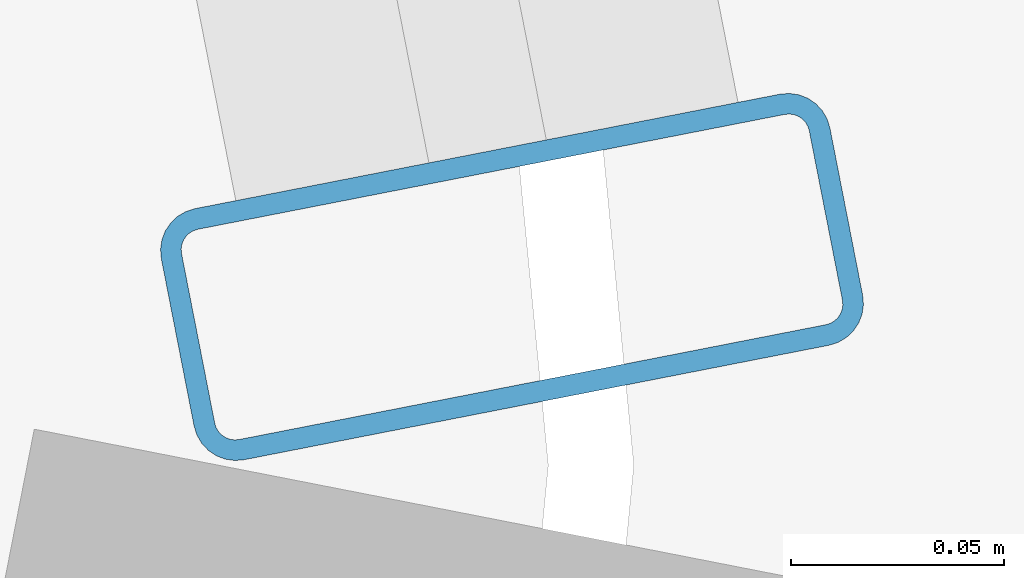
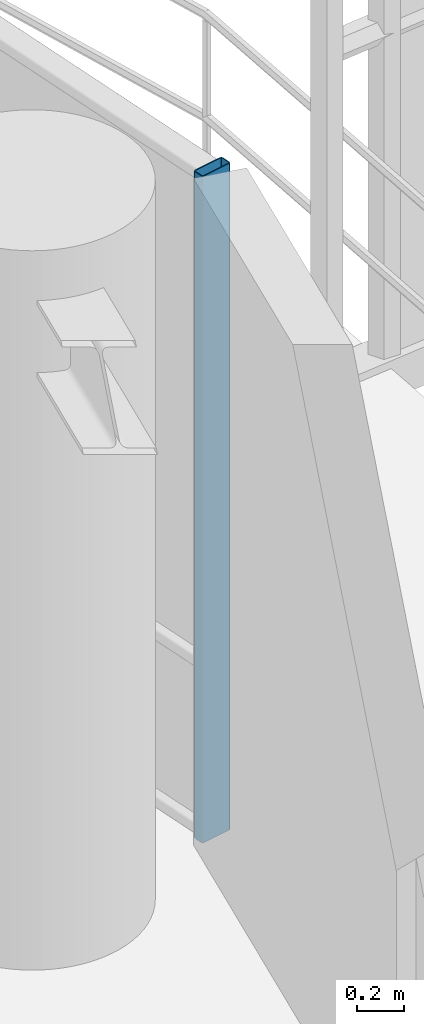
# One storey, part 14 of 31: 1 member, 1 element without a shape of its own.
"""IFC4 building model written with IfcOpenShell, lengths in metres."""

import ifcopenshell
import ifcopenshell.guid

model = None  # the IFC model being written
_history = None  # IfcOwnerHistory: only IFC2X3 demands one
_inside = {}  # id of a spatial element -> (the spatial element, [elements in it])
_under = {}  # id of a project, library or spatial element -> (it, [spatial elements below it])
_declared = {}  # id of a project -> (the project, [libraries it declares])
_typed = {}  # id of a type object -> (the type object, [elements of that type])
_made_of = {}  # id of a material, layer set ... -> (it, [elements and type objects made of it])


def new_model(schema):
    """Start an empty IFC model of exactly this schema.

    Asked for "IFC4X3", IfcOpenShell would pick the latest addendum, in which some entities
    have other attributes; the version numbers below select the first issue.
    IFC2X3 requires an IfcOwnerHistory on every rooted entity: one is made here for all.
    """
    global model, _history
    if schema == "IFC4X3":
        model = ifcopenshell.file(schema_version=(4, 3, 0, 0))
    else:
        model = ifcopenshell.file(schema=schema)
    _inside.clear()
    _under.clear()
    _declared.clear()
    _typed.clear()
    _made_of.clear()
    _history = None
    if model.schema == "IFC2X3":
        org = make("IfcOrganization", Name="unknown")
        user = make(
            "IfcPersonAndOrganization",
            ThePerson=make("IfcPerson", FamilyName="unknown"),
            TheOrganization=org,
        )
        app = make(
            "IfcApplication",
            ApplicationDeveloper=org,
            Version="unknown",
            ApplicationFullName="unknown",
            ApplicationIdentifier="unknown",
        )
        _history = make(
            "IfcOwnerHistory",
            OwningUser=user,
            OwningApplication=app,
            ChangeAction="ADDED",
            CreationDate=0,
        )
    return model


def make(cls, **values):
    """One entity of the class cls with the attributes given. An attribute that is None is left unset."""
    return model.create_entity(
        cls, **{name: value for name, value in values.items() if value is not None}
    )


def rooted(cls, **values):
    """An entity with a GlobalId (a new one), such as an element, a storey or a relation."""
    return make(cls, GlobalId=ifcopenshell.guid.new(), OwnerHistory=_history, **values)


def si_unit(unit_type, name, prefix=None):
    """IfcSIUnit, for example si_unit("LENGTHUNIT", "METRE", prefix="MILLI")."""
    return make("IfcSIUnit", UnitType=unit_type, Prefix=prefix, Name=name)


def assignment(units):
    """IfcUnitAssignment: the units of a project."""
    return None if units is None else make("IfcUnitAssignment", Units=units)


def point(xyz):
    """IfcCartesianPoint."""
    return None if xyz is None else make("IfcCartesianPoint", Coordinates=xyz)


def direction(xyz):
    """IfcDirection."""
    return None if xyz is None else make("IfcDirection", DirectionRatios=xyz)


def frame(location, z_axis=None, x_axis=None):
    """IfcAxis2Placement3D, a coordinate frame: its origin and axes. An axis left out is left unset."""
    return make(
        "IfcAxis2Placement3D",
        Location=point(location),
        Axis=direction(z_axis),
        RefDirection=direction(x_axis),
    )


def frame_2d(location, x_axis=None):
    """IfcAxis2Placement2D, a coordinate frame in the plane: its origin and x axis."""
    return make(
        "IfcAxis2Placement2D", Location=point(location), RefDirection=direction(x_axis)
    )


def origin():
    """The frame at (0, 0, 0) with its axes left unset."""
    return frame((0.0, 0.0, 0.0))


def origin_2d():
    """The frame at (0, 0) in the plane with its x axis left unset."""
    return frame_2d((0.0, 0.0))


def place(relative_to, where):
    """IfcLocalPlacement: puts the frame where relative to a parent placement (None: the world)."""
    return make(
        "IfcLocalPlacement", PlacementRelTo=relative_to, RelativePlacement=where
    )


def context(
    kind, dimensions, precision=None, world=None, true_north=None, identifier=None
):
    """IfcGeometricRepresentationContext, for example the 3D "Model" context."""
    return make(
        "IfcGeometricRepresentationContext",
        ContextIdentifier=identifier,
        ContextType=kind,
        CoordinateSpaceDimension=dimensions,
        Precision=precision,
        WorldCoordinateSystem=world,
        TrueNorth=true_north,
    )


def subcontext(parent, identifier, kind, view, scale=None):
    """IfcGeometricRepresentationSubContext, for example "Body" below "Model"."""
    return make(
        "IfcGeometricRepresentationSubContext",
        ContextIdentifier=identifier,
        ContextType=kind,
        ParentContext=parent,
        TargetScale=scale,
        TargetView=view,
    )


def project(units=None, contexts=None):
    """IfcProject with its units and contexts."""
    return rooted(
        "IfcProject",
        Name="project",
        RepresentationContexts=contexts,
        UnitsInContext=assignment(units),
    )


def spatial(cls, under=None, at=None, **own):
    """A site, building, storey or space (cls), placed at a placement, below another one or the project."""
    s = rooted(cls, ObjectPlacement=at, **own)
    if under is not None:
        _under.setdefault(under.id(), (under, []))[1].append(s)
    return s


def profile(cls, at=None, kind="AREA", **sizes):
    """A parametric profile (cls). Its sizes go by their IFC names, for example OverallWidth=200.0."""
    return make(cls, ProfileType=kind, Position=at, **sizes)


def hollow_rectangle(**sizes):
    """IfcRectangleHollowProfileDef."""
    return profile("IfcRectangleHollowProfileDef", **sizes)


def extrude(swept, where, along, depth):
    """IfcExtrudedAreaSolid: the profile swept, set in the frame where, extruded along a direction by depth."""
    return make(
        "IfcExtrudedAreaSolid",
        SweptArea=swept,
        Position=where,
        ExtrudedDirection=direction(along),
        Depth=depth,
    )


def shape(context_of_items, identifier, shape_type, items):
    """IfcShapeRepresentation: the items that make up one representation, for example the "Body"."""
    return make(
        "IfcShapeRepresentation",
        ContextOfItems=context_of_items,
        RepresentationIdentifier=identifier,
        RepresentationType=shape_type,
        Items=items,
    )


def material(Name=None, Category=None):
    """IfcMaterial."""
    return make("IfcMaterial", Name=Name, Category=Category)


def layer(
    of_material, thickness, ventilated=None, Name=None, Category=None, Priority=None
):
    """IfcMaterialLayer: one layer of a wall or slab, of a material (None: an air gap)."""
    return make(
        "IfcMaterialLayer",
        Material=of_material,
        LayerThickness=thickness,
        IsVentilated=ventilated,
        Name=Name,
        Category=Category,
        Priority=Priority,
    )


def layer_set(layers, Name=None):
    """IfcMaterialLayerSet."""
    return make("IfcMaterialLayerSet", MaterialLayers=layers, LayerSetName=Name)


def material_profile(
    of_material, cross_section, Name=None, Category=None, Priority=None
):
    """IfcMaterialProfile: a cross section and its material."""
    return make(
        "IfcMaterialProfile",
        Name=Name,
        Material=of_material,
        Profile=cross_section,
        Priority=Priority,
        Category=Category,
    )


def profile_set(profiles, Name=None, composite=None):
    """IfcMaterialProfileSet."""
    return make(
        "IfcMaterialProfileSet",
        Name=Name,
        MaterialProfiles=profiles,
        CompositeProfile=composite,
    )


def made_of(thing, what):
    """Note that an element or type object is made of a material, layer set ...; save() writes the relation."""
    if what is not None:
        _made_of.setdefault(what.id(), (what, []))[1].append(thing)
    return thing


def type_object(cls, material=None, **own):
    """A type object (cls), such as IfcWallType, which elements share."""
    return made_of(rooted(cls, **own), material)


def element(
    cls,
    number,
    at=None,
    inside=None,
    cuts=None,
    type_object=None,
    material=None,
    context=None,
    identifier="Body",
    shape_type=None,
    held_by="IfcProductDefinitionShape",
    body=None,
    shapes=None,
    **own,
):
    """One element of the class cls, such as IfcWall. Its Tag is "e" and its number.

    at: its placement. inside: the storey or other place that contains it. cuts: it is an
    opening in that element (IfcRelVoidsElement). A single representation is given by context,
    identifier, shape_type and body (its items); several are given by shapes. held_by: the class
    of the entity that holds the representations. save() writes the other relations.
    """
    e = rooted(cls, Tag="e%d" % number, ObjectPlacement=at, **own)
    if body is not None:
        shapes = [shape(context, identifier, shape_type, body)]
    if shapes is not None:
        e.Representation = make(held_by, Representations=shapes)
    if inside is not None:
        _inside.setdefault(inside.id(), (inside, []))[1].append(e)
    if cuts is not None:
        rooted(
            "IfcRelVoidsElement", RelatingBuildingElement=cuts, RelatedOpeningElement=e
        )
    if type_object is not None:
        _typed.setdefault(type_object.id(), (type_object, []))[1].append(e)
    return made_of(e, material)


def aggregate(whole, parts):
    """IfcRelAggregates: a whole, such as a stair, and the parts it consists of."""
    return rooted("IfcRelAggregates", RelatingObject=whole, RelatedObjects=parts)


def save(model, path):
    """Write the relations noted so far, then the file.

    IfcRelAggregates (storeys below a building ...), IfcRelContainedInSpatialStructure (elements
    in a storey), IfcRelDefinesByType, IfcRelAssociatesMaterial and IfcRelDeclares: one each for
    every whole, place, type object, material and project.
    """
    for whole, parts in _under.values():
        aggregate(whole, parts)
    for where, things in _inside.values():
        rooted(
            "IfcRelContainedInSpatialStructure",
            RelatedElements=things,
            RelatingStructure=where,
        )
    for kind, things in _typed.values():
        rooted("IfcRelDefinesByType", RelatedObjects=things, RelatingType=kind)
    for what, things in _made_of.values():
        rooted("IfcRelAssociatesMaterial", RelatedObjects=things, RelatingMaterial=what)
    for by, libraries in _declared.values():
        rooted("IfcRelDeclares", RelatingContext=by, RelatedDefinitions=libraries)
    model.write(path)


model = new_model("IFC4")

# Units and contexts
model_context = context("Model", 3, precision=1e-05, world=origin(), true_north=direction((0.0, 1.0)))
body_context = subcontext(model_context, "Body", "Model", "MODEL_VIEW")
ifc_project = project(units=[si_unit("LENGTHUNIT", "METRE"), si_unit("AREAUNIT", "SQUARE_METRE"), si_unit("VOLUMEUNIT", "CUBIC_METRE"), si_unit("PLANEANGLEUNIT", "RADIAN"), si_unit("MASSUNIT", "GRAM", prefix="KILO")], contexts=[model_context])

# Site, building, storey
site_placement = place(None, origin())
site = spatial("IfcSite", under=ifc_project, at=site_placement, CompositionType="ELEMENT")
building_placement = place(site_placement, origin())
building = spatial("IfcBuilding", under=site, at=building_placement, Name="Kelanora Arch Commons", CompositionType="ELEMENT")
storey_placement = place(building_placement, frame((0.0, 0.0, 230.699951171875)))
storey = spatial("IfcBuildingStorey", under=building, at=storey_placement, Name="L59", CompositionType="ELEMENT", Elevation=230.699951171875)

# Curtain wall, member
ifc_material_1 = material(Name="Terracotta ceramic-fritted low-E glass and aluminium", Category="masonry")
ifc_layer = layer(ifc_material_1, 0.175048828125)
ifc_layer_set = layer_set([ifc_layer], Name="Terracotta ceramic-fritted low-E glass and aluminium")
curtain_wall_type = type_object("IfcCurtainWallType", Name="CW-SYS-02", PredefinedType="NOTDEFINED", material=ifc_layer_set)
curtain_wall_placement = place(storey_placement, origin())
curtain_wall = element("IfcCurtainWall", 1, at=curtain_wall_placement, inside=storey, type_object=curtain_wall_type, Name="Unitised Curtain Wall L59-B00", PredefinedType="NOTDEFINED")
ifc_material_2 = material(Name="Powder-coated aluminium terracotta", Category="masonry")
ifc_material_profile = material_profile(ifc_material_2, hollow_rectangle(XDim=0.159912109375, YDim=0.06005859375, WallThickness=0.0048828125, InnerFilletRadius=0.0048828125, OuterFilletRadius=0.010009765625, at=origin_2d()), Name="CWM160x60")
ifc_profile_set = profile_set([ifc_material_profile], Name="Powder-coated aluminium terracotta")
member_type = type_object("IfcMemberType", Name="CWM-STD", PredefinedType="MULLION", material=ifc_profile_set)
member_placement = place(storey_placement, frame((96.19140625, 58.044189453125, 0.0), z_axis=(0.0, 0.0, 1.0), x_axis=(-0.981381438349, -0.192068926335, 0.0)))
member = element("IfcMember", 2, at=member_placement, type_object=member_type, Name="CW-02 mullion 1", PredefinedType="MULLION", context=body_context, shape_type="SweptSolid", body=[
    extrude(hollow_rectangle(XDim=0.159912109375, YDim=0.06005859375, WallThickness=0.0048828125, InnerFilletRadius=0.0048828125, OuterFilletRadius=0.010009765625, at=origin_2d()), origin(), (0.0, 0.0, 1.0), 3.47509765625),
])
aggregate(curtain_wall, [member])

save(model, "model.ifc")
